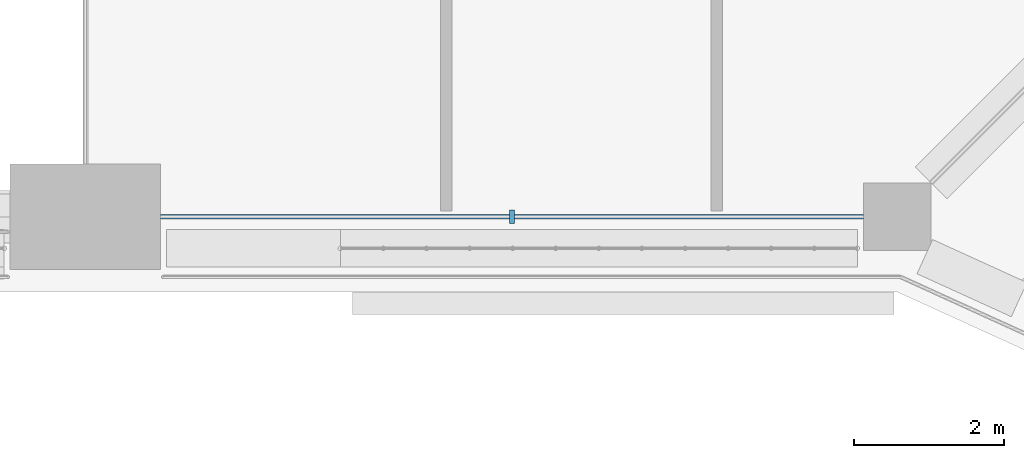
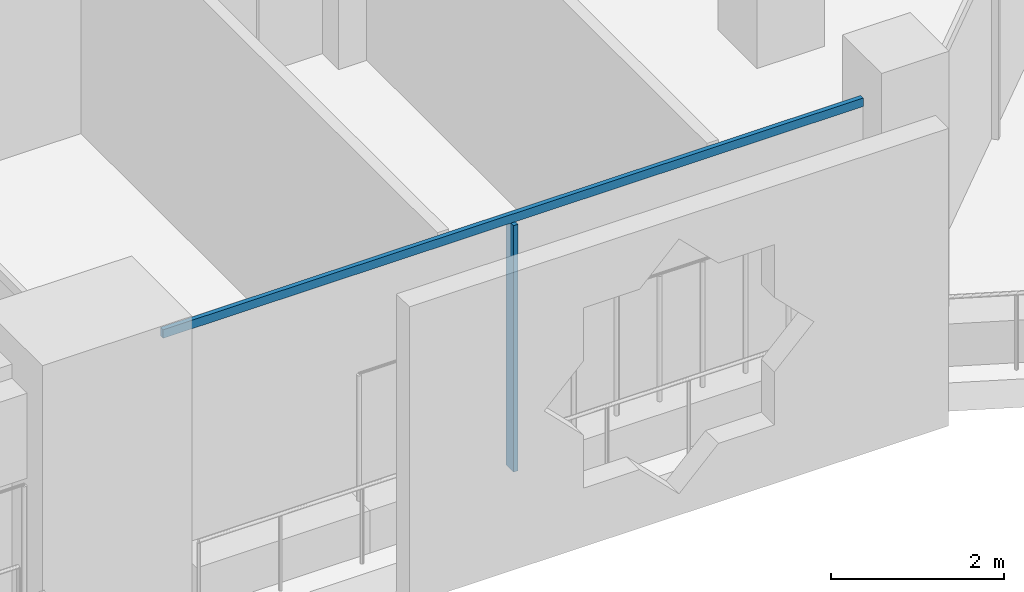
# One storey, part 5 of 23: 2 members, 1 element without a shape of its own.
"""IFC4 building model written with IfcOpenShell, lengths in metres."""

from ifc_helpers import new_model, si_unit, direction, frame, origin, origin_2d, place, context, subcontext, project, spatial, rectangle, extrude, material, layer, layer_set, material_profile, profile_set, type_object, element, aggregate, save


model = new_model("IFC4")

# Units and contexts
model_context = context("Model", 3, precision=1e-05, world=origin(), true_north=direction((0.0, 1.0)))
body_context = subcontext(model_context, "Body", "Model", "MODEL_VIEW")
ifc_project = project(units=[si_unit("LENGTHUNIT", "METRE"), si_unit("AREAUNIT", "SQUARE_METRE"), si_unit("VOLUMEUNIT", "CUBIC_METRE"), si_unit("PLANEANGLEUNIT", "RADIAN"), si_unit("MASSUNIT", "GRAM", prefix="KILO")], contexts=[model_context])

# Site, building, storey
site_placement = place(None, origin())
site = spatial("IfcSite", under=ifc_project, at=site_placement, CompositionType="ELEMENT")
building_placement = place(site_placement, origin())
building = spatial("IfcBuilding", under=site, at=building_placement, Name="Kawkab Arch Medical Tower", CompositionType="ELEMENT")
storey_placement = place(building_placement, frame((0.0, 0.0, 222.199951171875)))
storey = spatial("IfcBuildingStorey", under=building, at=storey_placement, Name="L51", CompositionType="ELEMENT", Elevation=222.199951171875)

# Curtain wall, members
ifc_material_1 = material(Name="Bronze anodised aluminium curtain wall frame", Category="aluminium")
ifc_layer = layer(ifc_material_1, 0.159912109375)
ifc_layer_set = layer_set([ifc_layer], Name="Bronze anodised aluminium curtain wall frame")
curtain_wall_type = type_object("IfcCurtainWallType", Name="CW1 ward curtain wall", PredefinedType="NOTDEFINED", material=ifc_layer_set)
curtain_wall_placement = place(storey_placement, origin())
curtain_wall = element("IfcCurtainWall", 1, at=curtain_wall_placement, inside=storey, type_object=curtain_wall_type, Name="CW1 Ward curtain wall R05", PredefinedType="NOTDEFINED")
ifc_material_2 = material(Name="Bronze anodised aluminium curtain wall frame", Category="aluminium")
ifc_material_profile_1 = material_profile(ifc_material_2, rectangle(XDim=0.179931640625, YDim=0.06005859375, at=origin_2d()), Name="AL 60x180")
ifc_profile_set_1 = profile_set([ifc_material_profile_1], Name="Bronze anodised aluminium curtain wall frame")
member_type_1 = type_object("IfcMemberType", Name="CW1 mullion 60 x 180", PredefinedType="MULLION", material=ifc_profile_set_1)
member_1_placement = place(storey_placement, frame((56.074951171875, -25.199951171875, 0.0), z_axis=(0.0, 0.0, 1.0), x_axis=(0.0, 1.0, 0.0)))
member_1 = element("IfcMember", 2, at=member_1_placement, type_object=member_type_1, Name="CW1 mullion 1.1", PredefinedType="MULLION", context=body_context, shape_type="SweptSolid", body=[
    extrude(rectangle(XDim=0.179931640625, YDim=0.06005859375, at=origin_2d()), origin(), (0.0, 0.0, 1.0), 3.47998046875),
])
ifc_material_3 = material(Name="Bronze anodised aluminium curtain wall frame", Category="aluminium")
ifc_material_profile_2 = material_profile(ifc_material_3, rectangle(XDim=0.06005859375, YDim=0.1201171875, at=origin_2d()), Name="AL 60x120")
ifc_profile_set_2 = profile_set([ifc_material_profile_2], Name="Bronze anodised aluminium curtain wall frame")
member_type_2 = type_object("IfcMemberType", Name="CW1 transom 120 x 60", PredefinedType="USERDEFINED", material=ifc_profile_set_2)
member_2_placement = place(storey_placement, frame((51.39990234375, -25.199951171875, 3.5400390625), z_axis=(1.0, 0.0, 0.0), x_axis=(0.0, 1.0, 0.0)))
member_2 = element("IfcMember", 3, at=member_2_placement, type_object=member_type_2, Name="CW1 transom 1", ObjectType="TRANSOM", PredefinedType="USERDEFINED", context=body_context, shape_type="SweptSolid", body=[
    extrude(rectangle(XDim=0.06005859375, YDim=0.1201171875, at=origin_2d()), origin(), (0.0, 0.0, 1.0), 9.35009765625),
])
aggregate(curtain_wall, [member_2, member_1])

save(model, "model.ifc")
